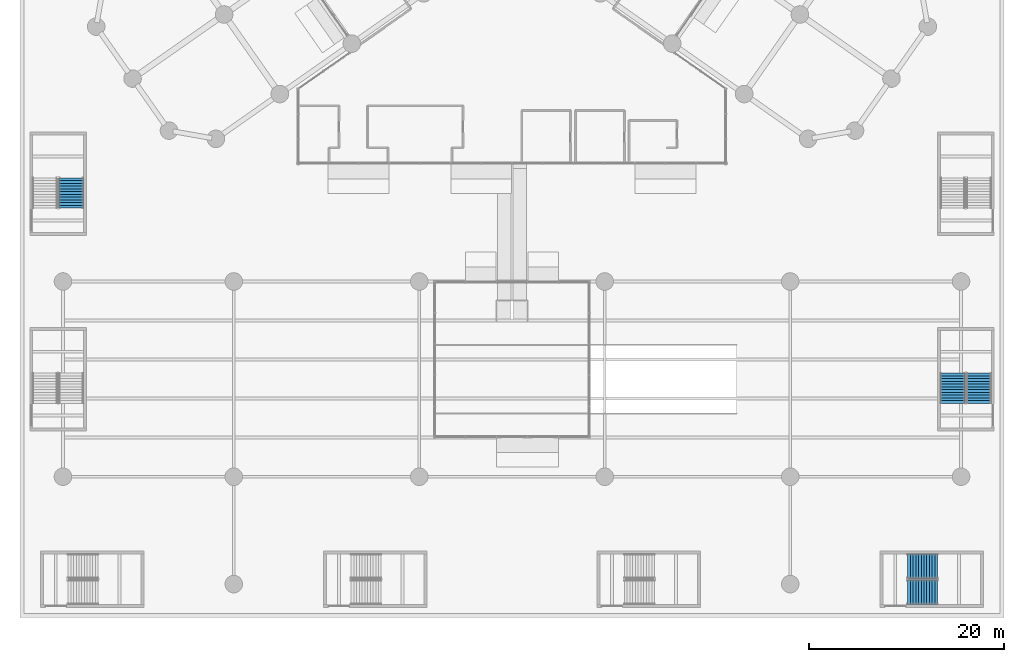
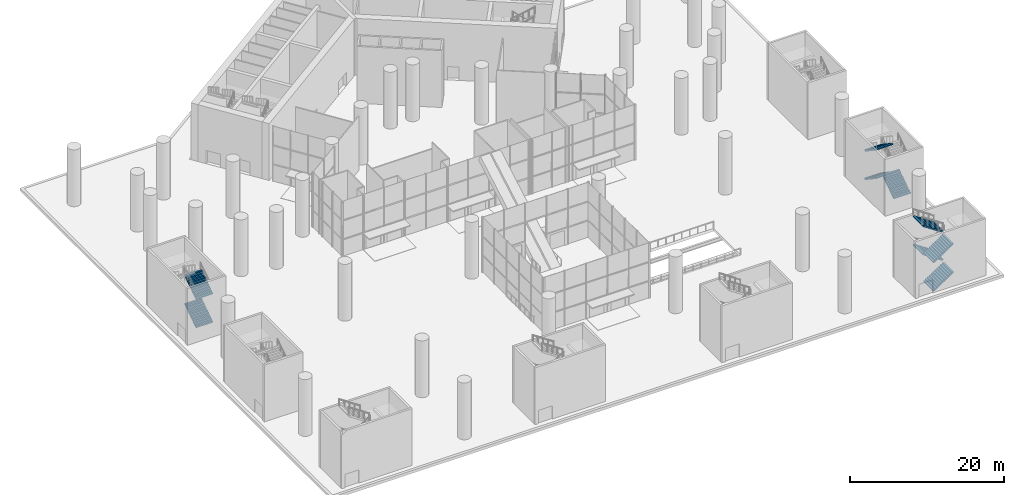
# One storey, part 23 of 37: 9 stair flights, 3 elements without a shape of their own.
"""IFC4 building model written with IfcOpenShell, lengths in metres."""

from ifc_helpers import new_model, si_unit, direction, frame, origin, place, context, subcontext, project, spatial, polyline, outline, extrude, material, type_object, element, aggregate, save


model = new_model("IFC4")

# Units and contexts
model_context = context("Model", 3, precision=1e-05, world=origin(), true_north=direction((0.0, 1.0)))
body_context = subcontext(model_context, "Body", "Model", "MODEL_VIEW")
ifc_project = project(units=[si_unit("LENGTHUNIT", "METRE"), si_unit("AREAUNIT", "SQUARE_METRE"), si_unit("VOLUMEUNIT", "CUBIC_METRE"), si_unit("PLANEANGLEUNIT", "RADIAN"), si_unit("MASSUNIT", "GRAM", prefix="KILO")], contexts=[model_context])

# Site, building, storey
site_placement = place(None, origin())
site = spatial("IfcSite", under=ifc_project, at=site_placement, CompositionType="ELEMENT")
building_placement = place(site_placement, origin())
building = spatial("IfcBuilding", under=site, at=building_placement, Name="Tel Ilan Convention Tower", CompositionType="ELEMENT")
storey_placement = place(building_placement, origin())
storey = spatial("IfcBuildingStorey", under=building, at=storey_placement, Name="L00", CompositionType="ELEMENT", Elevation=0.0)

# Stair, stair flights
ifc_material_1 = material(Name="Concrete C40/50", Category="concrete")
stair_type = type_object("IfcStairType", Name="Pressurised Exit Stair 48 risers 188 mm", PredefinedType="HALF_TURN_STAIR", material=ifc_material_1)
stair_1_placement = place(storey_placement, origin())
stair_1 = element("IfcStair", 1, at=stair_1_placement, inside=storey, type_object=stair_type, Name="L00 Podium Exit Stair P4", PredefinedType="HALF_TURN_STAIR")
ifc_material_2 = material(Name="Precast Concrete C40/50", Category="concrete")
stair_flight_type = type_object("IfcStairFlightType", Name="Concrete Stair Flight 2525 mm 48 risers 188 mm", PredefinedType="STRAIGHT", material=ifc_material_2)
stair_flight_1_placement = place(storey_placement, frame((40.52490234375, -79.83740234375, 0.0), z_axis=(0.0, 0.0, 1.0), x_axis=(1.0, 0.0, 0.0)))
stair_flight_1 = element("IfcStairFlight", 2, at=stair_flight_1_placement, type_object=stair_flight_type, Name="P4 flight 1", NumberOfRisers=12, NumberOfTreads=11, PredefinedType="STRAIGHT", RiserHeight=0.1875, TreadLength=0.28, context=body_context, shape_type="SweptSolid", body=[
    extrude(outline(polyline([(0.0, 0.0), (0.0, 0.1875), (0.280029296875, 0.1875), (0.280029296875, 0.375), (0.56005859375, 0.375), (0.56005859375, 0.5625), (0.840087890625, 0.5625), (0.840087890625, 0.75), (1.1201171875, 0.75), (1.1201171875, 0.9375), (1.39990234375, 0.9375), (1.39990234375, 1.125), (1.679931640625, 1.125), (1.679931640625, 1.3125), (1.9599609375, 1.3125), (1.9599609375, 1.5), (2.239990234375, 1.5), (2.239990234375, 1.6875), (2.52001953125, 1.6875), (2.52001953125, 1.875), (2.800048828125, 1.875), (2.800048828125, 2.0625), (3.080078125, 2.0625), (3.080078125, 2.25), (3.080078125, 1.882080078125), (0.26953125, 0.0), (0.0, 0.0)])), frame((0.0, -0.100341796875, 0.0), z_axis=(0.0, -1.0, 0.0), x_axis=(1.0, 0.0, 0.0)), (0.0, 0.0, 1.0), 1.162109375),
    extrude(outline(polyline([(0.0, 0.0), (0.0, 0.1875), (0.280029296875, 0.1875), (0.280029296875, 0.375), (0.56005859375, 0.375), (0.56005859375, 0.5625), (0.840087890625, 0.5625), (0.840087890625, 0.75), (1.1201171875, 0.75), (1.1201171875, 0.9375), (1.39990234375, 0.9375), (1.39990234375, 1.125), (1.679931640625, 1.125), (1.679931640625, 1.3125), (1.9599609375, 1.3125), (1.9599609375, 1.5), (2.239990234375, 1.5), (2.239990234375, 1.6875), (2.52001953125, 1.6875), (2.52001953125, 1.875), (2.800048828125, 1.875), (2.800048828125, 2.0625), (3.080078125, 2.0625), (3.080078125, 2.25), (3.080078125, 1.882080078125), (0.26953125, 0.0), (0.0, 0.0)])), frame((0.0, -0.000244140625, 0.0), z_axis=(0.0, -1.0, 0.0), x_axis=(1.0, 0.0, 0.0)), (0.0, 0.0, 1.0), 0.099609375),
    extrude(outline(polyline([(0.0, 0.0), (0.0, 0.1875), (0.280029296875, 0.1875), (0.280029296875, 0.375), (0.56005859375, 0.375), (0.56005859375, 0.5625), (0.840087890625, 0.5625), (0.840087890625, 0.75), (1.1201171875, 0.75), (1.1201171875, 0.9375), (1.39990234375, 0.9375), (1.39990234375, 1.125), (1.679931640625, 1.125), (1.679931640625, 1.3125), (1.9599609375, 1.3125), (1.9599609375, 1.5), (2.239990234375, 1.5), (2.239990234375, 1.6875), (2.52001953125, 1.6875), (2.52001953125, 1.875), (2.800048828125, 1.875), (2.800048828125, 2.0625), (3.080078125, 2.0625), (3.080078125, 2.25), (3.080078125, 1.882080078125), (0.26953125, 0.0), (0.0, 0.0)])), frame((0.0, 0.099853515625, 0.0), z_axis=(0.0, -1.0, 0.0), x_axis=(1.0, 0.0, 0.0)), (0.0, 0.0, 1.0), 0.099609375),
    extrude(outline(polyline([(0.0, 0.0), (0.0, 0.1875), (0.280029296875, 0.1875), (0.280029296875, 0.375), (0.56005859375, 0.375), (0.56005859375, 0.5625), (0.840087890625, 0.5625), (0.840087890625, 0.75), (1.1201171875, 0.75), (1.1201171875, 0.9375), (1.39990234375, 0.9375), (1.39990234375, 1.125), (1.679931640625, 1.125), (1.679931640625, 1.3125), (1.9599609375, 1.3125), (1.9599609375, 1.5), (2.239990234375, 1.5), (2.239990234375, 1.6875), (2.52001953125, 1.6875), (2.52001953125, 1.875), (2.800048828125, 1.875), (2.800048828125, 2.0625), (3.080078125, 2.0625), (3.080078125, 2.25), (3.080078125, 1.882080078125), (0.26953125, 0.0), (0.0, 0.0)])), frame((0.0, 1.262451171875, 0.0), z_axis=(0.0, -1.0, 0.0), x_axis=(1.0, 0.0, 0.0)), (0.0, 0.0, 1.0), 1.162109375),
])
stair_flight_2_placement = place(storey_placement, frame((43.60498046875, -77.16259765625, 2.25), z_axis=(0.0, 0.0, 1.0), x_axis=(-1.0, 0.0, 0.0)))
stair_flight_2 = element("IfcStairFlight", 3, at=stair_flight_2_placement, type_object=stair_flight_type, Name="P4 flight 2", NumberOfRisers=12, NumberOfTreads=11, PredefinedType="STRAIGHT", RiserHeight=0.1875, TreadLength=0.28, context=body_context, shape_type="SweptSolid", body=[
    extrude(outline(polyline([(0.0, 0.0), (0.0, 0.1875), (0.280029296875, 0.1875), (0.280029296875, 0.375), (0.56005859375, 0.375), (0.56005859375, 0.5625), (0.840087890625, 0.5625), (0.840087890625, 0.75), (1.1201171875, 0.75), (1.1201171875, 0.9375), (1.39990234375, 0.9375), (1.39990234375, 1.125), (1.679931640625, 1.125), (1.679931640625, 1.3125), (1.9599609375, 1.3125), (1.9599609375, 1.5), (2.239990234375, 1.5), (2.239990234375, 1.6875), (2.52001953125, 1.6875), (2.52001953125, 1.875), (2.800048828125, 1.875), (2.800048828125, 2.0625), (3.080078125, 2.0625), (3.080078125, 2.25), (3.080078125, 1.882080078125), (0.26953125, 0.0), (0.0, 0.0)])), frame((0.0, -0.100341796875, 0.0), z_axis=(0.0, -1.0, 0.0), x_axis=(1.0, 0.0, 0.0)), (0.0, 0.0, 1.0), 1.162109375),
    extrude(outline(polyline([(0.0, 0.0), (0.0, 0.1875), (0.280029296875, 0.1875), (0.280029296875, 0.375), (0.56005859375, 0.375), (0.56005859375, 0.5625), (0.840087890625, 0.5625), (0.840087890625, 0.75), (1.1201171875, 0.75), (1.1201171875, 0.9375), (1.39990234375, 0.9375), (1.39990234375, 1.125), (1.679931640625, 1.125), (1.679931640625, 1.3125), (1.9599609375, 1.3125), (1.9599609375, 1.5), (2.239990234375, 1.5), (2.239990234375, 1.6875), (2.52001953125, 1.6875), (2.52001953125, 1.875), (2.800048828125, 1.875), (2.800048828125, 2.0625), (3.080078125, 2.0625), (3.080078125, 2.25), (3.080078125, 1.882080078125), (0.26953125, 0.0), (0.0, 0.0)])), frame((0.0, -0.000244140625, 0.0), z_axis=(0.0, -1.0, 0.0), x_axis=(1.0, 0.0, 0.0)), (0.0, 0.0, 1.0), 0.099609375),
    extrude(outline(polyline([(0.0, 0.0), (0.0, 0.1875), (0.280029296875, 0.1875), (0.280029296875, 0.375), (0.56005859375, 0.375), (0.56005859375, 0.5625), (0.840087890625, 0.5625), (0.840087890625, 0.75), (1.1201171875, 0.75), (1.1201171875, 0.9375), (1.39990234375, 0.9375), (1.39990234375, 1.125), (1.679931640625, 1.125), (1.679931640625, 1.3125), (1.9599609375, 1.3125), (1.9599609375, 1.5), (2.239990234375, 1.5), (2.239990234375, 1.6875), (2.52001953125, 1.6875), (2.52001953125, 1.875), (2.800048828125, 1.875), (2.800048828125, 2.0625), (3.080078125, 2.0625), (3.080078125, 2.25), (3.080078125, 1.882080078125), (0.26953125, 0.0), (0.0, 0.0)])), frame((0.0, 0.099853515625, 0.0), z_axis=(0.0, -1.0, 0.0), x_axis=(1.0, 0.0, 0.0)), (0.0, 0.0, 1.0), 0.099609375),
    extrude(outline(polyline([(0.0, 0.0), (0.0, 0.1875), (0.280029296875, 0.1875), (0.280029296875, 0.375), (0.56005859375, 0.375), (0.56005859375, 0.5625), (0.840087890625, 0.5625), (0.840087890625, 0.75), (1.1201171875, 0.75), (1.1201171875, 0.9375), (1.39990234375, 0.9375), (1.39990234375, 1.125), (1.679931640625, 1.125), (1.679931640625, 1.3125), (1.9599609375, 1.3125), (1.9599609375, 1.5), (2.239990234375, 1.5), (2.239990234375, 1.6875), (2.52001953125, 1.6875), (2.52001953125, 1.875), (2.800048828125, 1.875), (2.800048828125, 2.0625), (3.080078125, 2.0625), (3.080078125, 2.25), (3.080078125, 1.882080078125), (0.26953125, 0.0), (0.0, 0.0)])), frame((0.0, 1.262451171875, 0.0), z_axis=(0.0, -1.0, 0.0), x_axis=(1.0, 0.0, 0.0)), (0.0, 0.0, 1.0), 1.162109375),
])
stair_flight_3_placement = place(storey_placement, frame((40.52490234375, -79.83740234375, 4.5), z_axis=(0.0, 0.0, 1.0), x_axis=(1.0, 0.0, 0.0)))
stair_flight_3 = element("IfcStairFlight", 4, at=stair_flight_3_placement, type_object=stair_flight_type, Name="P4 flight 3", NumberOfRisers=12, NumberOfTreads=11, PredefinedType="STRAIGHT", RiserHeight=0.1875, TreadLength=0.28, context=body_context, shape_type="SweptSolid", body=[
    extrude(outline(polyline([(0.0, 0.0), (0.0, 0.1875), (0.280029296875, 0.1875), (0.280029296875, 0.375), (0.56005859375, 0.375), (0.56005859375, 0.5625), (0.840087890625, 0.5625), (0.840087890625, 0.75), (1.1201171875, 0.75), (1.1201171875, 0.9375), (1.39990234375, 0.9375), (1.39990234375, 1.125), (1.679931640625, 1.125), (1.679931640625, 1.3125), (1.9599609375, 1.3125), (1.9599609375, 1.5), (2.239990234375, 1.5), (2.239990234375, 1.6875), (2.52001953125, 1.6875), (2.52001953125, 1.875), (2.800048828125, 1.875), (2.800048828125, 2.0625), (3.080078125, 2.0625), (3.080078125, 2.25), (3.080078125, 1.882080078125), (0.26953125, 0.0), (0.0, 0.0)])), frame((0.0, -0.100341796875, 0.0), z_axis=(0.0, -1.0, 0.0), x_axis=(1.0, 0.0, 0.0)), (0.0, 0.0, 1.0), 1.162109375),
    extrude(outline(polyline([(0.0, 0.0), (0.0, 0.1875), (0.280029296875, 0.1875), (0.280029296875, 0.375), (0.56005859375, 0.375), (0.56005859375, 0.5625), (0.840087890625, 0.5625), (0.840087890625, 0.75), (1.1201171875, 0.75), (1.1201171875, 0.9375), (1.39990234375, 0.9375), (1.39990234375, 1.125), (1.679931640625, 1.125), (1.679931640625, 1.3125), (1.9599609375, 1.3125), (1.9599609375, 1.5), (2.239990234375, 1.5), (2.239990234375, 1.6875), (2.52001953125, 1.6875), (2.52001953125, 1.875), (2.800048828125, 1.875), (2.800048828125, 2.0625), (3.080078125, 2.0625), (3.080078125, 2.25), (3.080078125, 1.882080078125), (0.26953125, 0.0), (0.0, 0.0)])), frame((0.0, -0.000244140625, 0.0), z_axis=(0.0, -1.0, 0.0), x_axis=(1.0, 0.0, 0.0)), (0.0, 0.0, 1.0), 0.099609375),
    extrude(outline(polyline([(0.0, 0.0), (0.0, 0.1875), (0.280029296875, 0.1875), (0.280029296875, 0.375), (0.56005859375, 0.375), (0.56005859375, 0.5625), (0.840087890625, 0.5625), (0.840087890625, 0.75), (1.1201171875, 0.75), (1.1201171875, 0.9375), (1.39990234375, 0.9375), (1.39990234375, 1.125), (1.679931640625, 1.125), (1.679931640625, 1.3125), (1.9599609375, 1.3125), (1.9599609375, 1.5), (2.239990234375, 1.5), (2.239990234375, 1.6875), (2.52001953125, 1.6875), (2.52001953125, 1.875), (2.800048828125, 1.875), (2.800048828125, 2.0625), (3.080078125, 2.0625), (3.080078125, 2.25), (3.080078125, 1.882080078125), (0.26953125, 0.0), (0.0, 0.0)])), frame((0.0, 0.099853515625, 0.0), z_axis=(0.0, -1.0, 0.0), x_axis=(1.0, 0.0, 0.0)), (0.0, 0.0, 1.0), 0.099609375),
    extrude(outline(polyline([(0.0, 0.0), (0.0, 0.1875), (0.280029296875, 0.1875), (0.280029296875, 0.375), (0.56005859375, 0.375), (0.56005859375, 0.5625), (0.840087890625, 0.5625), (0.840087890625, 0.75), (1.1201171875, 0.75), (1.1201171875, 0.9375), (1.39990234375, 0.9375), (1.39990234375, 1.125), (1.679931640625, 1.125), (1.679931640625, 1.3125), (1.9599609375, 1.3125), (1.9599609375, 1.5), (2.239990234375, 1.5), (2.239990234375, 1.6875), (2.52001953125, 1.6875), (2.52001953125, 1.875), (2.800048828125, 1.875), (2.800048828125, 2.0625), (3.080078125, 2.0625), (3.080078125, 2.25), (3.080078125, 1.882080078125), (0.26953125, 0.0), (0.0, 0.0)])), frame((0.0, 1.262451171875, 0.0), z_axis=(0.0, -1.0, 0.0), x_axis=(1.0, 0.0, 0.0)), (0.0, 0.0, 1.0), 1.162109375),
])
stair_flight_4_placement = place(storey_placement, frame((43.60498046875, -77.16259765625, 6.75), z_axis=(0.0, 0.0, 1.0), x_axis=(-1.0, 0.0, 0.0)))
stair_flight_4 = element("IfcStairFlight", 5, at=stair_flight_4_placement, type_object=stair_flight_type, Name="P4 flight 4", NumberOfRisers=12, NumberOfTreads=11, PredefinedType="STRAIGHT", RiserHeight=0.1875, TreadLength=0.28, context=body_context, shape_type="SweptSolid", body=[
    extrude(outline(polyline([(0.0, 0.0), (0.0, 0.1875), (0.280029296875, 0.1875), (0.280029296875, 0.375), (0.56005859375, 0.375), (0.56005859375, 0.5625), (0.840087890625, 0.5625), (0.840087890625, 0.75), (1.1201171875, 0.75), (1.1201171875, 0.9375), (1.39990234375, 0.9375), (1.39990234375, 1.125), (1.679931640625, 1.125), (1.679931640625, 1.3125), (1.9599609375, 1.3125), (1.9599609375, 1.5), (2.239990234375, 1.5), (2.239990234375, 1.6875), (2.52001953125, 1.6875), (2.52001953125, 1.875), (2.800048828125, 1.875), (2.800048828125, 2.0625), (3.080078125, 2.0625), (3.080078125, 2.25), (3.080078125, 1.882080078125), (0.26953125, 0.0), (0.0, 0.0)])), frame((0.0, -0.100341796875, 0.0), z_axis=(0.0, -1.0, 0.0), x_axis=(1.0, 0.0, 0.0)), (0.0, 0.0, 1.0), 1.162109375),
    extrude(outline(polyline([(0.0, 0.0), (0.0, 0.1875), (0.280029296875, 0.1875), (0.280029296875, 0.375), (0.56005859375, 0.375), (0.56005859375, 0.5625), (0.840087890625, 0.5625), (0.840087890625, 0.75), (1.1201171875, 0.75), (1.1201171875, 0.9375), (1.39990234375, 0.9375), (1.39990234375, 1.125), (1.679931640625, 1.125), (1.679931640625, 1.3125), (1.9599609375, 1.3125), (1.9599609375, 1.5), (2.239990234375, 1.5), (2.239990234375, 1.6875), (2.52001953125, 1.6875), (2.52001953125, 1.875), (2.800048828125, 1.875), (2.800048828125, 2.0625), (3.080078125, 2.0625), (3.080078125, 2.25), (3.080078125, 1.882080078125), (0.26953125, 0.0), (0.0, 0.0)])), frame((0.0, -0.000244140625, 0.0), z_axis=(0.0, -1.0, 0.0), x_axis=(1.0, 0.0, 0.0)), (0.0, 0.0, 1.0), 0.099609375),
    extrude(outline(polyline([(0.0, 0.0), (0.0, 0.1875), (0.280029296875, 0.1875), (0.280029296875, 0.375), (0.56005859375, 0.375), (0.56005859375, 0.5625), (0.840087890625, 0.5625), (0.840087890625, 0.75), (1.1201171875, 0.75), (1.1201171875, 0.9375), (1.39990234375, 0.9375), (1.39990234375, 1.125), (1.679931640625, 1.125), (1.679931640625, 1.3125), (1.9599609375, 1.3125), (1.9599609375, 1.5), (2.239990234375, 1.5), (2.239990234375, 1.6875), (2.52001953125, 1.6875), (2.52001953125, 1.875), (2.800048828125, 1.875), (2.800048828125, 2.0625), (3.080078125, 2.0625), (3.080078125, 2.25), (3.080078125, 1.882080078125), (0.26953125, 0.0), (0.0, 0.0)])), frame((0.0, 0.099853515625, 0.0), z_axis=(0.0, -1.0, 0.0), x_axis=(1.0, 0.0, 0.0)), (0.0, 0.0, 1.0), 0.099609375),
    extrude(outline(polyline([(0.0, 0.0), (0.0, 0.1875), (0.280029296875, 0.1875), (0.280029296875, 0.375), (0.56005859375, 0.375), (0.56005859375, 0.5625), (0.840087890625, 0.5625), (0.840087890625, 0.75), (1.1201171875, 0.75), (1.1201171875, 0.9375), (1.39990234375, 0.9375), (1.39990234375, 1.125), (1.679931640625, 1.125), (1.679931640625, 1.3125), (1.9599609375, 1.3125), (1.9599609375, 1.5), (2.239990234375, 1.5), (2.239990234375, 1.6875), (2.52001953125, 1.6875), (2.52001953125, 1.875), (2.800048828125, 1.875), (2.800048828125, 2.0625), (3.080078125, 2.0625), (3.080078125, 2.25), (3.080078125, 1.882080078125), (0.26953125, 0.0), (0.0, 0.0)])), frame((0.0, 1.262451171875, 0.0), z_axis=(0.0, -1.0, 0.0), x_axis=(1.0, 0.0, 0.0)), (0.0, 0.0, 1.0), 1.162109375),
])
aggregate(stair_1, [stair_flight_1, stair_flight_2, stair_flight_3, stair_flight_4])

stair_2_placement = place(storey_placement, origin())
stair_2 = element("IfcStair", 6, at=stair_2_placement, inside=storey, type_object=stair_type, Name="L00 Podium Exit Stair P6", PredefinedType="HALF_TURN_STAIR")
stair_flight_5_placement = place(storey_placement, frame((47.83740234375, -60.47509765625, 0.0), z_axis=(0.0, 0.0, 1.0), x_axis=(0.0, 1.0, 0.0)))
stair_flight_5 = element("IfcStairFlight", 7, at=stair_flight_5_placement, type_object=stair_flight_type, Name="P6 flight 1", NumberOfRisers=12, NumberOfTreads=11, PredefinedType="STRAIGHT", RiserHeight=0.1875, TreadLength=0.28, context=body_context, shape_type="SweptSolid", body=[
    extrude(outline(polyline([(0.0, 0.0), (0.0, 0.1875), (0.280029296875, 0.1875), (0.280029296875, 0.375), (0.56005859375, 0.375), (0.56005859375, 0.5625), (0.840087890625, 0.5625), (0.840087890625, 0.75), (1.1201171875, 0.75), (1.1201171875, 0.9375), (1.39990234375, 0.9375), (1.39990234375, 1.125), (1.679931640625, 1.125), (1.679931640625, 1.3125), (1.9599609375, 1.3125), (1.9599609375, 1.5), (2.239990234375, 1.5), (2.239990234375, 1.6875), (2.52001953125, 1.6875), (2.52001953125, 1.875), (2.800048828125, 1.875), (2.800048828125, 2.0625), (3.080078125, 2.0625), (3.080078125, 2.25), (3.080078125, 1.882080078125), (0.26953125, 0.0), (0.0, 0.0)])), frame((0.0, -0.100341796875, 0.0), z_axis=(0.0, -1.0, 0.0), x_axis=(1.0, 0.0, 0.0)), (0.0, 0.0, 1.0), 1.162109375),
    extrude(outline(polyline([(0.0, 0.0), (0.0, 0.1875), (0.280029296875, 0.1875), (0.280029296875, 0.375), (0.56005859375, 0.375), (0.56005859375, 0.5625), (0.840087890625, 0.5625), (0.840087890625, 0.75), (1.1201171875, 0.75), (1.1201171875, 0.9375), (1.39990234375, 0.9375), (1.39990234375, 1.125), (1.679931640625, 1.125), (1.679931640625, 1.3125), (1.9599609375, 1.3125), (1.9599609375, 1.5), (2.239990234375, 1.5), (2.239990234375, 1.6875), (2.52001953125, 1.6875), (2.52001953125, 1.875), (2.800048828125, 1.875), (2.800048828125, 2.0625), (3.080078125, 2.0625), (3.080078125, 2.25), (3.080078125, 1.882080078125), (0.26953125, 0.0), (0.0, 0.0)])), frame((0.0, -0.000244140625, 0.0), z_axis=(0.0, -1.0, 0.0), x_axis=(1.0, 0.0, 0.0)), (0.0, 0.0, 1.0), 0.099609375),
    extrude(outline(polyline([(0.0, 0.0), (0.0, 0.1875), (0.280029296875, 0.1875), (0.280029296875, 0.375), (0.56005859375, 0.375), (0.56005859375, 0.5625), (0.840087890625, 0.5625), (0.840087890625, 0.75), (1.1201171875, 0.75), (1.1201171875, 0.9375), (1.39990234375, 0.9375), (1.39990234375, 1.125), (1.679931640625, 1.125), (1.679931640625, 1.3125), (1.9599609375, 1.3125), (1.9599609375, 1.5), (2.239990234375, 1.5), (2.239990234375, 1.6875), (2.52001953125, 1.6875), (2.52001953125, 1.875), (2.800048828125, 1.875), (2.800048828125, 2.0625), (3.080078125, 2.0625), (3.080078125, 2.25), (3.080078125, 1.882080078125), (0.26953125, 0.0), (0.0, 0.0)])), frame((0.0, 0.099853515625, 0.0), z_axis=(0.0, -1.0, 0.0), x_axis=(1.0, 0.0, 0.0)), (0.0, 0.0, 1.0), 0.099609375),
    extrude(outline(polyline([(0.0, 0.0), (0.0, 0.1875), (0.280029296875, 0.1875), (0.280029296875, 0.375), (0.56005859375, 0.375), (0.56005859375, 0.5625), (0.840087890625, 0.5625), (0.840087890625, 0.75), (1.1201171875, 0.75), (1.1201171875, 0.9375), (1.39990234375, 0.9375), (1.39990234375, 1.125), (1.679931640625, 1.125), (1.679931640625, 1.3125), (1.9599609375, 1.3125), (1.9599609375, 1.5), (2.239990234375, 1.5), (2.239990234375, 1.6875), (2.52001953125, 1.6875), (2.52001953125, 1.875), (2.800048828125, 1.875), (2.800048828125, 2.0625), (3.080078125, 2.0625), (3.080078125, 2.25), (3.080078125, 1.882080078125), (0.26953125, 0.0), (0.0, 0.0)])), frame((0.0, 1.262451171875, 0.0), z_axis=(0.0, -1.0, 0.0), x_axis=(1.0, 0.0, 0.0)), (0.0, 0.0, 1.0), 1.162109375),
])
stair_flight_6_placement = place(storey_placement, frame((45.16259765625, -57.39501953125, 2.25), z_axis=(0.0, 0.0, 1.0), x_axis=(0.0, -1.0, 0.0)))
stair_flight_6 = element("IfcStairFlight", 8, at=stair_flight_6_placement, type_object=stair_flight_type, Name="P6 flight 2", NumberOfRisers=12, NumberOfTreads=11, PredefinedType="STRAIGHT", RiserHeight=0.1875, TreadLength=0.28, context=body_context, shape_type="SweptSolid", body=[
    extrude(outline(polyline([(0.0, 0.0), (0.0, 0.1875), (0.280029296875, 0.1875), (0.280029296875, 0.375), (0.56005859375, 0.375), (0.56005859375, 0.5625), (0.840087890625, 0.5625), (0.840087890625, 0.75), (1.1201171875, 0.75), (1.1201171875, 0.9375), (1.39990234375, 0.9375), (1.39990234375, 1.125), (1.679931640625, 1.125), (1.679931640625, 1.3125), (1.9599609375, 1.3125), (1.9599609375, 1.5), (2.239990234375, 1.5), (2.239990234375, 1.6875), (2.52001953125, 1.6875), (2.52001953125, 1.875), (2.800048828125, 1.875), (2.800048828125, 2.0625), (3.080078125, 2.0625), (3.080078125, 2.25), (3.080078125, 1.882080078125), (0.26953125, 0.0), (0.0, 0.0)])), frame((0.0, -0.100341796875, 0.0), z_axis=(0.0, -1.0, 0.0), x_axis=(1.0, 0.0, 0.0)), (0.0, 0.0, 1.0), 1.162109375),
    extrude(outline(polyline([(0.0, 0.0), (0.0, 0.1875), (0.280029296875, 0.1875), (0.280029296875, 0.375), (0.56005859375, 0.375), (0.56005859375, 0.5625), (0.840087890625, 0.5625), (0.840087890625, 0.75), (1.1201171875, 0.75), (1.1201171875, 0.9375), (1.39990234375, 0.9375), (1.39990234375, 1.125), (1.679931640625, 1.125), (1.679931640625, 1.3125), (1.9599609375, 1.3125), (1.9599609375, 1.5), (2.239990234375, 1.5), (2.239990234375, 1.6875), (2.52001953125, 1.6875), (2.52001953125, 1.875), (2.800048828125, 1.875), (2.800048828125, 2.0625), (3.080078125, 2.0625), (3.080078125, 2.25), (3.080078125, 1.882080078125), (0.26953125, 0.0), (0.0, 0.0)])), frame((0.0, -0.000244140625, 0.0), z_axis=(0.0, -1.0, 0.0), x_axis=(1.0, 0.0, 0.0)), (0.0, 0.0, 1.0), 0.099609375),
    extrude(outline(polyline([(0.0, 0.0), (0.0, 0.1875), (0.280029296875, 0.1875), (0.280029296875, 0.375), (0.56005859375, 0.375), (0.56005859375, 0.5625), (0.840087890625, 0.5625), (0.840087890625, 0.75), (1.1201171875, 0.75), (1.1201171875, 0.9375), (1.39990234375, 0.9375), (1.39990234375, 1.125), (1.679931640625, 1.125), (1.679931640625, 1.3125), (1.9599609375, 1.3125), (1.9599609375, 1.5), (2.239990234375, 1.5), (2.239990234375, 1.6875), (2.52001953125, 1.6875), (2.52001953125, 1.875), (2.800048828125, 1.875), (2.800048828125, 2.0625), (3.080078125, 2.0625), (3.080078125, 2.25), (3.080078125, 1.882080078125), (0.26953125, 0.0), (0.0, 0.0)])), frame((0.0, 0.099853515625, 0.0), z_axis=(0.0, -1.0, 0.0), x_axis=(1.0, 0.0, 0.0)), (0.0, 0.0, 1.0), 0.099609375),
    extrude(outline(polyline([(0.0, 0.0), (0.0, 0.1875), (0.280029296875, 0.1875), (0.280029296875, 0.375), (0.56005859375, 0.375), (0.56005859375, 0.5625), (0.840087890625, 0.5625), (0.840087890625, 0.75), (1.1201171875, 0.75), (1.1201171875, 0.9375), (1.39990234375, 0.9375), (1.39990234375, 1.125), (1.679931640625, 1.125), (1.679931640625, 1.3125), (1.9599609375, 1.3125), (1.9599609375, 1.5), (2.239990234375, 1.5), (2.239990234375, 1.6875), (2.52001953125, 1.6875), (2.52001953125, 1.875), (2.800048828125, 1.875), (2.800048828125, 2.0625), (3.080078125, 2.0625), (3.080078125, 2.25), (3.080078125, 1.882080078125), (0.26953125, 0.0), (0.0, 0.0)])), frame((0.0, 1.262451171875, 0.0), z_axis=(0.0, -1.0, 0.0), x_axis=(1.0, 0.0, 0.0)), (0.0, 0.0, 1.0), 1.162109375),
])
stair_flight_7_placement = place(storey_placement, frame((45.16259765625, -57.39501953125, 6.75), z_axis=(0.0, 0.0, 1.0), x_axis=(0.0, -1.0, 0.0)))
stair_flight_7 = element("IfcStairFlight", 9, at=stair_flight_7_placement, type_object=stair_flight_type, Name="P6 flight 4", NumberOfRisers=12, NumberOfTreads=11, PredefinedType="STRAIGHT", RiserHeight=0.1875, TreadLength=0.28, context=body_context, shape_type="SweptSolid", body=[
    extrude(outline(polyline([(0.0, 0.0), (0.0, 0.1875), (0.280029296875, 0.1875), (0.280029296875, 0.375), (0.56005859375, 0.375), (0.56005859375, 0.5625), (0.840087890625, 0.5625), (0.840087890625, 0.75), (1.1201171875, 0.75), (1.1201171875, 0.9375), (1.39990234375, 0.9375), (1.39990234375, 1.125), (1.679931640625, 1.125), (1.679931640625, 1.3125), (1.9599609375, 1.3125), (1.9599609375, 1.5), (2.239990234375, 1.5), (2.239990234375, 1.6875), (2.52001953125, 1.6875), (2.52001953125, 1.875), (2.800048828125, 1.875), (2.800048828125, 2.0625), (3.080078125, 2.0625), (3.080078125, 2.25), (3.080078125, 1.882080078125), (0.26953125, 0.0), (0.0, 0.0)])), frame((0.0, -0.100341796875, 0.0), z_axis=(0.0, -1.0, 0.0), x_axis=(1.0, 0.0, 0.0)), (0.0, 0.0, 1.0), 1.162109375),
    extrude(outline(polyline([(0.0, 0.0), (0.0, 0.1875), (0.280029296875, 0.1875), (0.280029296875, 0.375), (0.56005859375, 0.375), (0.56005859375, 0.5625), (0.840087890625, 0.5625), (0.840087890625, 0.75), (1.1201171875, 0.75), (1.1201171875, 0.9375), (1.39990234375, 0.9375), (1.39990234375, 1.125), (1.679931640625, 1.125), (1.679931640625, 1.3125), (1.9599609375, 1.3125), (1.9599609375, 1.5), (2.239990234375, 1.5), (2.239990234375, 1.6875), (2.52001953125, 1.6875), (2.52001953125, 1.875), (2.800048828125, 1.875), (2.800048828125, 2.0625), (3.080078125, 2.0625), (3.080078125, 2.25), (3.080078125, 1.882080078125), (0.26953125, 0.0), (0.0, 0.0)])), frame((0.0, -0.000244140625, 0.0), z_axis=(0.0, -1.0, 0.0), x_axis=(1.0, 0.0, 0.0)), (0.0, 0.0, 1.0), 0.099609375),
    extrude(outline(polyline([(0.0, 0.0), (0.0, 0.1875), (0.280029296875, 0.1875), (0.280029296875, 0.375), (0.56005859375, 0.375), (0.56005859375, 0.5625), (0.840087890625, 0.5625), (0.840087890625, 0.75), (1.1201171875, 0.75), (1.1201171875, 0.9375), (1.39990234375, 0.9375), (1.39990234375, 1.125), (1.679931640625, 1.125), (1.679931640625, 1.3125), (1.9599609375, 1.3125), (1.9599609375, 1.5), (2.239990234375, 1.5), (2.239990234375, 1.6875), (2.52001953125, 1.6875), (2.52001953125, 1.875), (2.800048828125, 1.875), (2.800048828125, 2.0625), (3.080078125, 2.0625), (3.080078125, 2.25), (3.080078125, 1.882080078125), (0.26953125, 0.0), (0.0, 0.0)])), frame((0.0, 0.099853515625, 0.0), z_axis=(0.0, -1.0, 0.0), x_axis=(1.0, 0.0, 0.0)), (0.0, 0.0, 1.0), 0.099609375),
    extrude(outline(polyline([(0.0, 0.0), (0.0, 0.1875), (0.280029296875, 0.1875), (0.280029296875, 0.375), (0.56005859375, 0.375), (0.56005859375, 0.5625), (0.840087890625, 0.5625), (0.840087890625, 0.75), (1.1201171875, 0.75), (1.1201171875, 0.9375), (1.39990234375, 0.9375), (1.39990234375, 1.125), (1.679931640625, 1.125), (1.679931640625, 1.3125), (1.9599609375, 1.3125), (1.9599609375, 1.5), (2.239990234375, 1.5), (2.239990234375, 1.6875), (2.52001953125, 1.6875), (2.52001953125, 1.875), (2.800048828125, 1.875), (2.800048828125, 2.0625), (3.080078125, 2.0625), (3.080078125, 2.25), (3.080078125, 1.882080078125), (0.26953125, 0.0), (0.0, 0.0)])), frame((0.0, 1.262451171875, 0.0), z_axis=(0.0, -1.0, 0.0), x_axis=(1.0, 0.0, 0.0)), (0.0, 0.0, 1.0), 1.162109375),
])
aggregate(stair_2, [stair_flight_5, stair_flight_6, stair_flight_7])

stair_3_placement = place(storey_placement, origin())
stair_3 = element("IfcStair", 10, at=stair_3_placement, inside=storey, type_object=stair_type, Name="L00 Podium Exit Stair P7", PredefinedType="HALF_TURN_STAIR")
stair_flight_8_placement = place(storey_placement, frame((-45.16259765625, -40.47509765625, 0.0), z_axis=(0.0, 0.0, 1.0), x_axis=(0.0, 1.0, 0.0)))
stair_flight_8 = element("IfcStairFlight", 11, at=stair_flight_8_placement, type_object=stair_flight_type, Name="P7 flight 1", NumberOfRisers=12, NumberOfTreads=11, PredefinedType="STRAIGHT", RiserHeight=0.1875, TreadLength=0.28, context=body_context, shape_type="SweptSolid", body=[
    extrude(outline(polyline([(0.0, 0.0), (0.0, 0.1875), (0.280029296875, 0.1875), (0.280029296875, 0.375), (0.56005859375, 0.375), (0.56005859375, 0.5625), (0.840087890625, 0.5625), (0.840087890625, 0.75), (1.1201171875, 0.75), (1.1201171875, 0.9375), (1.39990234375, 0.9375), (1.39990234375, 1.125), (1.679931640625, 1.125), (1.679931640625, 1.3125), (1.9599609375, 1.3125), (1.9599609375, 1.5), (2.239990234375, 1.5), (2.239990234375, 1.6875), (2.52001953125, 1.6875), (2.52001953125, 1.875), (2.800048828125, 1.875), (2.800048828125, 2.0625), (3.080078125, 2.0625), (3.080078125, 2.25), (3.080078125, 1.882080078125), (0.26953125, 0.0), (0.0, 0.0)])), frame((0.0, -0.100341796875, 0.0), z_axis=(0.0, -1.0, 0.0), x_axis=(1.0, 0.0, 0.0)), (0.0, 0.0, 1.0), 1.162109375),
    extrude(outline(polyline([(0.0, 0.0), (0.0, 0.1875), (0.280029296875, 0.1875), (0.280029296875, 0.375), (0.56005859375, 0.375), (0.56005859375, 0.5625), (0.840087890625, 0.5625), (0.840087890625, 0.75), (1.1201171875, 0.75), (1.1201171875, 0.9375), (1.39990234375, 0.9375), (1.39990234375, 1.125), (1.679931640625, 1.125), (1.679931640625, 1.3125), (1.9599609375, 1.3125), (1.9599609375, 1.5), (2.239990234375, 1.5), (2.239990234375, 1.6875), (2.52001953125, 1.6875), (2.52001953125, 1.875), (2.800048828125, 1.875), (2.800048828125, 2.0625), (3.080078125, 2.0625), (3.080078125, 2.25), (3.080078125, 1.882080078125), (0.26953125, 0.0), (0.0, 0.0)])), frame((0.0, -0.000244140625, 0.0), z_axis=(0.0, -1.0, 0.0), x_axis=(1.0, 0.0, 0.0)), (0.0, 0.0, 1.0), 0.099609375),
    extrude(outline(polyline([(0.0, 0.0), (0.0, 0.1875), (0.280029296875, 0.1875), (0.280029296875, 0.375), (0.56005859375, 0.375), (0.56005859375, 0.5625), (0.840087890625, 0.5625), (0.840087890625, 0.75), (1.1201171875, 0.75), (1.1201171875, 0.9375), (1.39990234375, 0.9375), (1.39990234375, 1.125), (1.679931640625, 1.125), (1.679931640625, 1.3125), (1.9599609375, 1.3125), (1.9599609375, 1.5), (2.239990234375, 1.5), (2.239990234375, 1.6875), (2.52001953125, 1.6875), (2.52001953125, 1.875), (2.800048828125, 1.875), (2.800048828125, 2.0625), (3.080078125, 2.0625), (3.080078125, 2.25), (3.080078125, 1.882080078125), (0.26953125, 0.0), (0.0, 0.0)])), frame((0.0, 0.099853515625, 0.0), z_axis=(0.0, -1.0, 0.0), x_axis=(1.0, 0.0, 0.0)), (0.0, 0.0, 1.0), 0.099609375),
    extrude(outline(polyline([(0.0, 0.0), (0.0, 0.1875), (0.280029296875, 0.1875), (0.280029296875, 0.375), (0.56005859375, 0.375), (0.56005859375, 0.5625), (0.840087890625, 0.5625), (0.840087890625, 0.75), (1.1201171875, 0.75), (1.1201171875, 0.9375), (1.39990234375, 0.9375), (1.39990234375, 1.125), (1.679931640625, 1.125), (1.679931640625, 1.3125), (1.9599609375, 1.3125), (1.9599609375, 1.5), (2.239990234375, 1.5), (2.239990234375, 1.6875), (2.52001953125, 1.6875), (2.52001953125, 1.875), (2.800048828125, 1.875), (2.800048828125, 2.0625), (3.080078125, 2.0625), (3.080078125, 2.25), (3.080078125, 1.882080078125), (0.26953125, 0.0), (0.0, 0.0)])), frame((0.0, 1.262451171875, 0.0), z_axis=(0.0, -1.0, 0.0), x_axis=(1.0, 0.0, 0.0)), (0.0, 0.0, 1.0), 1.162109375),
])
stair_flight_9_placement = place(storey_placement, frame((-45.16259765625, -40.47509765625, 4.5), z_axis=(0.0, 0.0, 1.0), x_axis=(0.0, 1.0, 0.0)))
stair_flight_9 = element("IfcStairFlight", 12, at=stair_flight_9_placement, type_object=stair_flight_type, Name="P7 flight 3", NumberOfRisers=12, NumberOfTreads=11, PredefinedType="STRAIGHT", RiserHeight=0.1875, TreadLength=0.28, context=body_context, shape_type="SweptSolid", body=[
    extrude(outline(polyline([(0.0, 0.0), (0.0, 0.1875), (0.280029296875, 0.1875), (0.280029296875, 0.375), (0.56005859375, 0.375), (0.56005859375, 0.5625), (0.840087890625, 0.5625), (0.840087890625, 0.75), (1.1201171875, 0.75), (1.1201171875, 0.9375), (1.39990234375, 0.9375), (1.39990234375, 1.125), (1.679931640625, 1.125), (1.679931640625, 1.3125), (1.9599609375, 1.3125), (1.9599609375, 1.5), (2.239990234375, 1.5), (2.239990234375, 1.6875), (2.52001953125, 1.6875), (2.52001953125, 1.875), (2.800048828125, 1.875), (2.800048828125, 2.0625), (3.080078125, 2.0625), (3.080078125, 2.25), (3.080078125, 1.882080078125), (0.26953125, 0.0), (0.0, 0.0)])), frame((0.0, -0.100341796875, 0.0), z_axis=(0.0, -1.0, 0.0), x_axis=(1.0, 0.0, 0.0)), (0.0, 0.0, 1.0), 1.162109375),
    extrude(outline(polyline([(0.0, 0.0), (0.0, 0.1875), (0.280029296875, 0.1875), (0.280029296875, 0.375), (0.56005859375, 0.375), (0.56005859375, 0.5625), (0.840087890625, 0.5625), (0.840087890625, 0.75), (1.1201171875, 0.75), (1.1201171875, 0.9375), (1.39990234375, 0.9375), (1.39990234375, 1.125), (1.679931640625, 1.125), (1.679931640625, 1.3125), (1.9599609375, 1.3125), (1.9599609375, 1.5), (2.239990234375, 1.5), (2.239990234375, 1.6875), (2.52001953125, 1.6875), (2.52001953125, 1.875), (2.800048828125, 1.875), (2.800048828125, 2.0625), (3.080078125, 2.0625), (3.080078125, 2.25), (3.080078125, 1.882080078125), (0.26953125, 0.0), (0.0, 0.0)])), frame((0.0, -0.000244140625, 0.0), z_axis=(0.0, -1.0, 0.0), x_axis=(1.0, 0.0, 0.0)), (0.0, 0.0, 1.0), 0.099609375),
    extrude(outline(polyline([(0.0, 0.0), (0.0, 0.1875), (0.280029296875, 0.1875), (0.280029296875, 0.375), (0.56005859375, 0.375), (0.56005859375, 0.5625), (0.840087890625, 0.5625), (0.840087890625, 0.75), (1.1201171875, 0.75), (1.1201171875, 0.9375), (1.39990234375, 0.9375), (1.39990234375, 1.125), (1.679931640625, 1.125), (1.679931640625, 1.3125), (1.9599609375, 1.3125), (1.9599609375, 1.5), (2.239990234375, 1.5), (2.239990234375, 1.6875), (2.52001953125, 1.6875), (2.52001953125, 1.875), (2.800048828125, 1.875), (2.800048828125, 2.0625), (3.080078125, 2.0625), (3.080078125, 2.25), (3.080078125, 1.882080078125), (0.26953125, 0.0), (0.0, 0.0)])), frame((0.0, 0.099853515625, 0.0), z_axis=(0.0, -1.0, 0.0), x_axis=(1.0, 0.0, 0.0)), (0.0, 0.0, 1.0), 0.099609375),
    extrude(outline(polyline([(0.0, 0.0), (0.0, 0.1875), (0.280029296875, 0.1875), (0.280029296875, 0.375), (0.56005859375, 0.375), (0.56005859375, 0.5625), (0.840087890625, 0.5625), (0.840087890625, 0.75), (1.1201171875, 0.75), (1.1201171875, 0.9375), (1.39990234375, 0.9375), (1.39990234375, 1.125), (1.679931640625, 1.125), (1.679931640625, 1.3125), (1.9599609375, 1.3125), (1.9599609375, 1.5), (2.239990234375, 1.5), (2.239990234375, 1.6875), (2.52001953125, 1.6875), (2.52001953125, 1.875), (2.800048828125, 1.875), (2.800048828125, 2.0625), (3.080078125, 2.0625), (3.080078125, 2.25), (3.080078125, 1.882080078125), (0.26953125, 0.0), (0.0, 0.0)])), frame((0.0, 1.262451171875, 0.0), z_axis=(0.0, -1.0, 0.0), x_axis=(1.0, 0.0, 0.0)), (0.0, 0.0, 1.0), 1.162109375),
])
aggregate(stair_3, [stair_flight_8, stair_flight_9])

save(model, "model.ifc")
